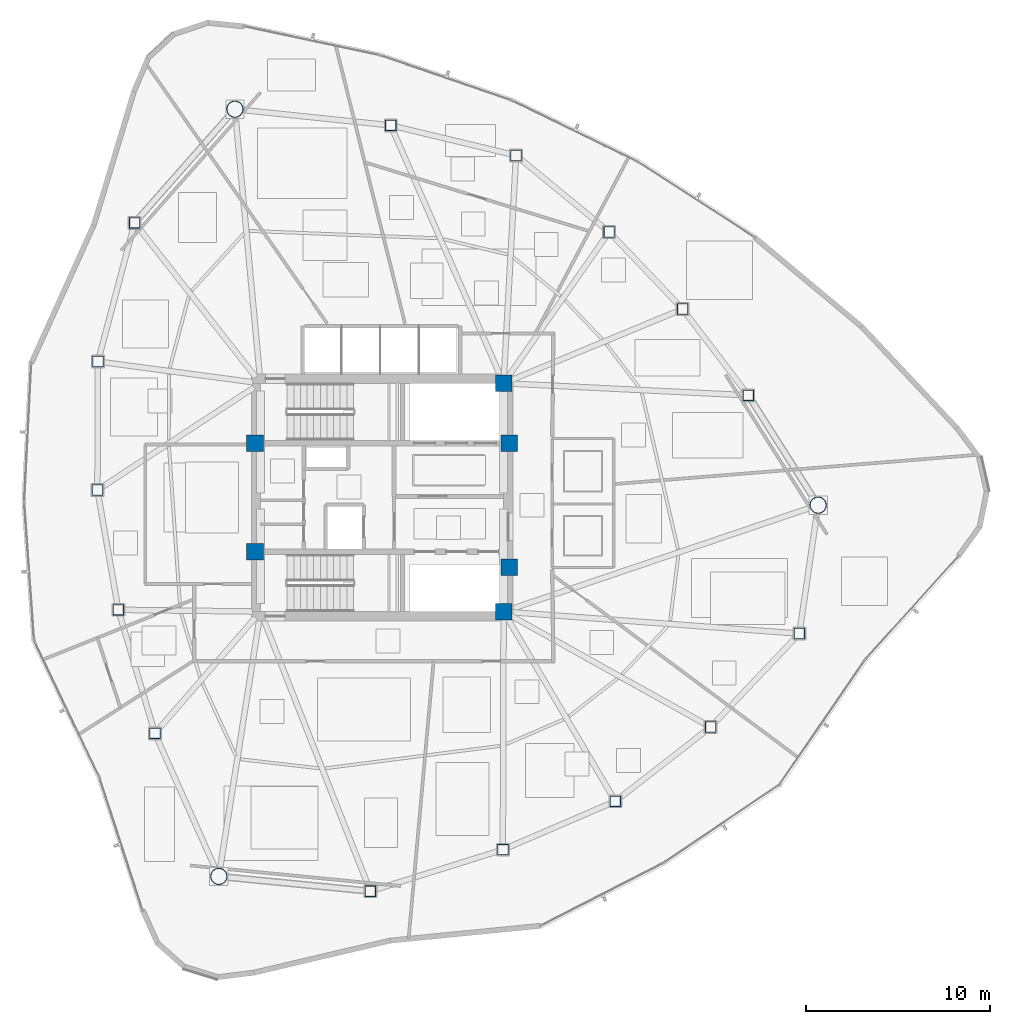
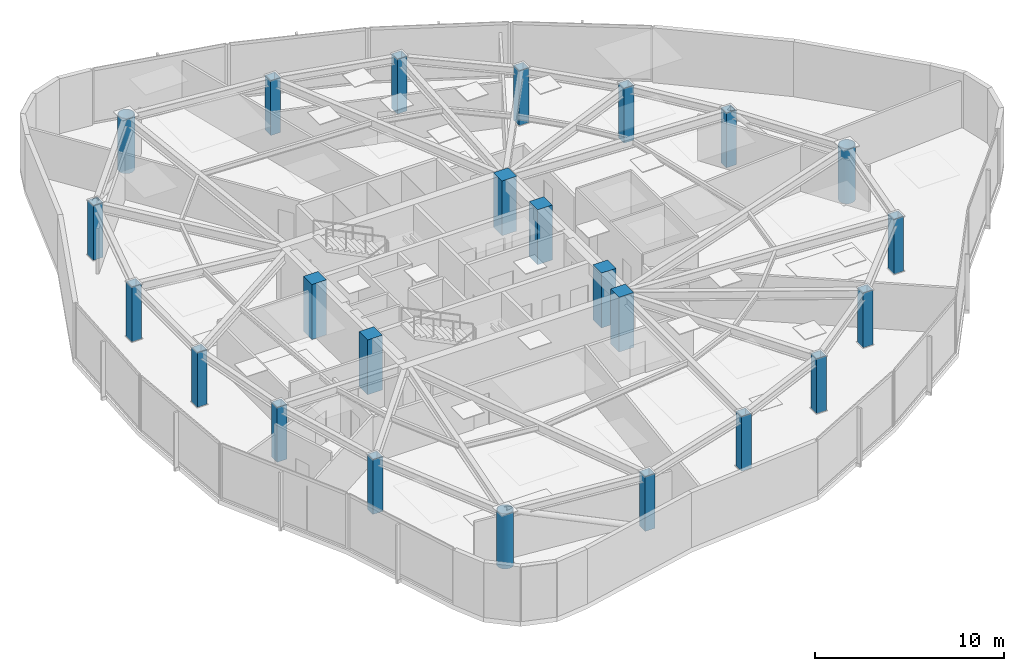
# One storey, part 1 of 17: 24 columns.
"""IFC4 building model written with IfcOpenShell, lengths in metres."""

from ifc_helpers import new_model, si_unit, direction, frame, origin, origin_2d, place, context, subcontext, project, spatial, rectangle, hollow_rectangle, hollow_circle, extrude, material, material_profile, profile_set, type_object, element, save


model = new_model("IFC4")

# Units and contexts
model_context = context("Model", 3, precision=1e-05, world=origin(), true_north=direction((0.0, 1.0)))
body_context = subcontext(model_context, "Body", "Model", "MODEL_VIEW")
ifc_project = project(units=[si_unit("LENGTHUNIT", "METRE"), si_unit("AREAUNIT", "SQUARE_METRE"), si_unit("VOLUMEUNIT", "CUBIC_METRE"), si_unit("PLANEANGLEUNIT", "RADIAN"), si_unit("MASSUNIT", "GRAM", prefix="KILO")], contexts=[model_context])

# Site, building, storey
site_placement = place(None, origin())
site = spatial("IfcSite", under=ifc_project, at=site_placement, CompositionType="ELEMENT")
building_placement = place(site_placement, origin())
building = spatial("IfcBuilding", under=site, at=building_placement, Name="Tavelor Broadcast Tower", CompositionType="ELEMENT")
storey_placement = place(building_placement, frame((0.0, 0.0, 161.800048828125)))
storey = spatial("IfcBuildingStorey", under=building, at=storey_placement, Name="L38", CompositionType="ELEMENT", Elevation=161.800048828125)

# Columns
ifc_material_1 = material(Name="Concrete C50/60", Category="concrete")
ifc_material_profile_1 = material_profile(ifc_material_1, rectangle(XDim=0.89990234375, YDim=0.89990234375, at=origin_2d()), Name="RC 900x900")
ifc_profile_set_1 = profile_set([ifc_material_profile_1], Name="Concrete C50/60")
column_type_1 = type_object("IfcColumnType", Name="Core Embedded Composite Column RC900", PredefinedType="COLUMN", material=ifc_profile_set_1)
for number, where, z_axis, x_axis, name in (
    (1, (43.10009765625, 47.949951171875, 0.0), (0.0, 0.0, 1.0), (1.0, 0.0, 0.0), "L38 Core Embedded Column 1"),
    (2, (56.89990234375, 47.949951171875, 0.0), (0.0, 0.0, 1.0), (1.0, 0.0, 0.0), "L38 Core Embedded Column 2"),
    (3, (56.60009765625, 51.199951171875, 0.0), (0.0, 0.0, 1.0), (1.0, 0.0, 0.0), "L38 Core Embedded Column 3"),
    (4, (43.10009765625, 42.050048828125, 0.0), (0.0, 0.0, 1.0), (1.0, 0.0, 0.0), "L38 Core Embedded Column 4"),
    (5, (56.89990234375, 41.199951171875, 0.0), (0.0, 0.0, 1.0), (1.0, 0.0, 0.0), "L38 Core Embedded Column 5"),
    (6, (56.60009765625, 38.800048828125, 0.0), (0.0, 0.0, 1.0), (1.0, 0.0, 0.0), "L38 Core Embedded Column 6"),
):
    element("IfcColumn", number, at=place(storey_placement, frame(where, z_axis=z_axis, x_axis=x_axis)), inside=storey, type_object=column_type_1, Name=name, PredefinedType="COLUMN", context=body_context, shape_type="SweptSolid", body=[
        extrude(rectangle(XDim=0.89990234375, YDim=0.89990234375, at=origin_2d()), origin(), (0.0, 0.0, 1.0), 3.550048828125),
    ])
ifc_material_2 = material(Name="Steel S460", Category="steel")
ifc_material_profile_2 = material_profile(ifc_material_2, hollow_rectangle(XDim=0.60009765625, YDim=0.60009765625, WallThickness=0.035888671875, at=origin_2d()), Name="SHS 600x600x36")
ifc_profile_set_2 = profile_set([ifc_material_profile_2], Name="Steel S460")
column_type_2 = type_object("IfcColumnType", Name="Perimeter Tube Column T4 SHS 600x600x36", PredefinedType="COLUMN", material=ifc_profile_set_2)
for number, where, z_axis, x_axis, name in (
    (7, (36.567626953125, 59.91064453125, 0.0), (0.0, 0.0, 1.0), (1.0, 0.0, 0.0), "L38 Perimeter Framed-Tube Column 02"),
    (8, (34.5751953125, 52.37939453125, 0.0), (0.0, 0.0, 1.0), (1.0, 0.0, 0.0), "L38 Perimeter Framed-Tube Column 03"),
    (9, (34.54638671875, 45.399169921875, 0.0), (0.0, 0.0, 1.0), (1.0, 0.0, 0.0), "L38 Perimeter Framed-Tube Column 04"),
    (10, (35.680908203125, 38.89990234375, 0.0), (0.0, 0.0, 1.0), (1.0, 0.0, 0.0), "L38 Perimeter Framed-Tube Column 05"),
    (11, (37.668212890625, 32.1904296875, 0.0), (0.0, 0.0, 1.0), (1.0, 0.0, 0.0), "L38 Perimeter Framed-Tube Column 06"),
    (12, (49.366455078125, 23.618896484375, 0.0), (0.0, 0.0, 1.0), (1.0, 0.0, 0.0), "L38 Perimeter Framed-Tube Column 08"),
    (13, (56.56103515625, 25.872802734375, 0.0), (0.0, 0.0, 1.0), (1.0, 0.0, 0.0), "L38 Perimeter Framed-Tube Column 09"),
    (14, (62.669189453125, 28.503173828125, 0.0), (0.0, 0.0, 1.0), (1.0, 0.0, 0.0), "L38 Perimeter Framed-Tube Column 10"),
    (15, (67.84228515625, 32.53173828125, 0.0), (0.0, 0.0, 1.0), (1.0, 0.0, 0.0), "L38 Perimeter Framed-Tube Column 11"),
    (16, (72.6591796875, 37.607421875, 0.0), (0.0, 0.0, 1.0), (1.0, 0.0, 0.0), "L38 Perimeter Framed-Tube Column 12"),
    (17, (69.885986328125, 50.544189453125, 0.0), (0.0, 0.0, 1.0), (1.0, 0.0, 0.0), "L38 Perimeter Framed-Tube Column 14"),
    (18, (66.322021484375, 55.228759765625, 0.0), (0.0, 0.0, 1.0), (1.0, 0.0, 0.0), "L38 Perimeter Framed-Tube Column 15"),
    (19, (62.330810546875, 59.416259765625, 0.0), (0.0, 0.0, 1.0), (1.0, 0.0, 0.0), "L38 Perimeter Framed-Tube Column 16"),
    (20, (57.276611328125, 63.568359375, 0.0), (0.0, 0.0, 1.0), (1.0, 0.0, 0.0), "L38 Perimeter Framed-Tube Column 17"),
    (21, (50.472412109375, 65.2021484375, 0.0), (0.0, 0.0, 1.0), (1.0, 0.0, 0.0), "L38 Perimeter Framed-Tube Column 18"),
):
    element("IfcColumn", number, at=place(storey_placement, frame(where, z_axis=z_axis, x_axis=x_axis)), inside=storey, type_object=column_type_2, Name=name, PredefinedType="COLUMN", context=body_context, shape_type="SweptSolid", body=[
        extrude(hollow_rectangle(XDim=0.60009765625, YDim=0.60009765625, WallThickness=0.035888671875, at=origin_2d()), origin(), (0.0, 0.0, 1.0), 3.550048828125),
    ])
ifc_material_profile_3 = material_profile(ifc_material_2, hollow_circle(Radius=0.45703125, WallThickness=0.0400390625, at=origin_2d()), Name="CHS 914x40")
ifc_profile_set_3 = profile_set([ifc_material_profile_3], Name="Steel S460")
column_type_3 = type_object("IfcColumnType", Name="Tower Mega Column T4 CHS 914x40", PredefinedType="COLUMN", material=ifc_profile_set_3)
for number, where, z_axis, x_axis, name in (
    (22, (42.01123046875, 66.080078125, 0.0), (0.0, 0.0, 1.0), (1.0, 0.0, 0.0), "L38 Tower Corner Mega Column 01"),
    (23, (41.138671875, 24.423828125, 0.0), (0.0, 0.0, 1.0), (1.0, 0.0, 0.0), "L38 Tower Corner Mega Column 07"),
    (24, (73.676025390625, 44.57958984375, 0.0), (0.0, 0.0, 1.0), (1.0, 0.0, 0.0), "L38 Tower Corner Mega Column 13"),
):
    element("IfcColumn", number, at=place(storey_placement, frame(where, z_axis=z_axis, x_axis=x_axis)), inside=storey, type_object=column_type_3, Name=name, PredefinedType="COLUMN", context=body_context, shape_type="SweptSolid", body=[
        extrude(hollow_circle(Radius=0.45703125, WallThickness=0.0400390625, at=origin_2d()), origin(), (0.0, 0.0, 1.0), 3.550048828125),
    ])

save(model, "model.ifc")
